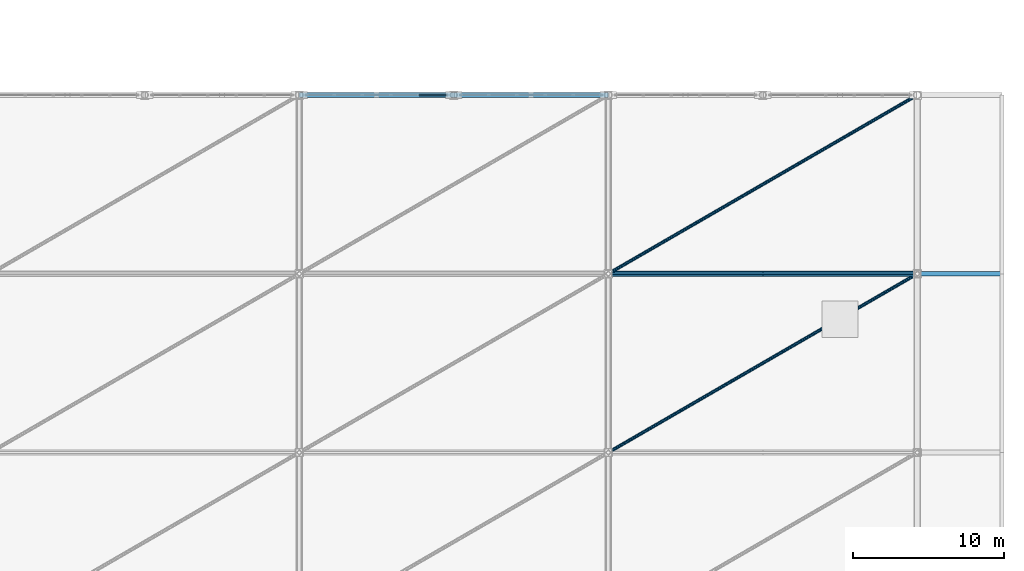
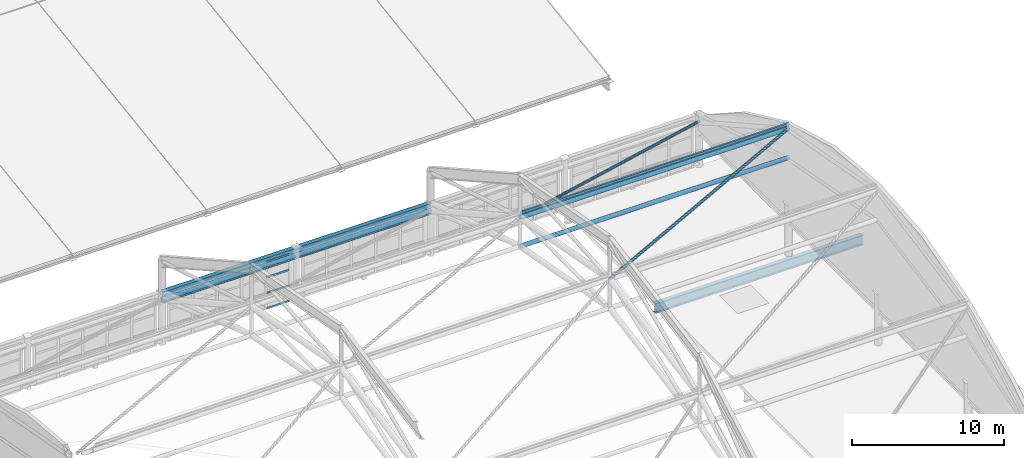
# One storey, part 78 of 135: 10 members, 2 beams, 1 element without a shape of its own.
"""IFC4 building model written with IfcOpenShell, lengths in metres."""

from ifc_helpers import new_model, si_unit, direction, frame, origin, origin_2d, place, context, subcontext, project, spatial, hollow_rectangle, hollow_circle, i_section, extrude, material, material_profile, profile_set, type_object, element, aggregate, save


model = new_model("IFC4")

# Units and contexts
model_context = context("Model", 3, precision=1e-05, world=origin(), true_north=direction((0.0, 1.0)))
body_context = subcontext(model_context, "Body", "Model", "MODEL_VIEW")
ifc_project = project(units=[si_unit("LENGTHUNIT", "METRE"), si_unit("AREAUNIT", "SQUARE_METRE"), si_unit("VOLUMEUNIT", "CUBIC_METRE"), si_unit("PLANEANGLEUNIT", "RADIAN"), si_unit("MASSUNIT", "GRAM", prefix="KILO")], contexts=[model_context])

# Site, building, storey
site_placement = place(None, origin())
site = spatial("IfcSite", under=ifc_project, at=site_placement, CompositionType="ELEMENT")
building_placement = place(site_placement, origin())
building = spatial("IfcBuilding", under=site, at=building_placement, Name="Brelvane Convention Centre", CompositionType="ELEMENT")
storey_placement = place(building_placement, frame((0.0, 0.0, 15.0)))
storey = spatial("IfcBuildingStorey", under=building, at=storey_placement, Name="L03", CompositionType="ELEMENT", Elevation=15.0)

# Curtain wall, members
ifc_material_1 = material(Name="Anodised Aluminium Alloy 6063-T6", Category="aluminium")
curtain_wall_type = type_object("IfcCurtainWallType", Name="Curtain Wall CW-PLEN-E", PredefinedType="USERDEFINED", material=ifc_material_1)
curtain_wall_placement = place(storey_placement, origin())
curtain_wall = element("IfcCurtainWall", 1, at=curtain_wall_placement, inside=storey, type_object=curtain_wall_type, Name="Curtain Wall CW-PLEN-E L03-PLEN-N-CLER-3", ObjectType="UNITISED", PredefinedType="USERDEFINED")
ifc_material_2 = material(Name="Anodised Aluminium Alloy 6063-T6", Category="aluminium")
ifc_material_profile_1 = material_profile(ifc_material_2, hollow_rectangle(XDim=0.070068359375, YDim=0.14990234375, WallThickness=0.00439453125, InnerFilletRadius=0.00439453125, OuterFilletRadius=0.009033203125, at=origin_2d()), Name="ALU-T 150x70x4.5")
ifc_profile_set_1 = profile_set([ifc_material_profile_1], Name="Anodised Aluminium Alloy 6063-T6")
member_type_1 = type_object("IfcMemberType", Name="Curtain Transom CW-T2", PredefinedType="USERDEFINED", material=ifc_profile_set_1)
member_1_placement = place(storey_placement, frame((191.527587890625, 87.800048828125, 0.034912109375), z_axis=(1.0, 0.0, 0.0), x_axis=(0.0, 1.0, 0.0)))
member_1 = element("IfcMember", 2, at=member_1_placement, type_object=member_type_1, Name="CW-PLEN-E transom 5.1", ObjectType="TRANSOM", PredefinedType="USERDEFINED", context=body_context, shape_type="SweptSolid", body=[
    extrude(hollow_rectangle(XDim=0.070068359375, YDim=0.14990234375, WallThickness=0.00439453125, InnerFilletRadius=0.00439453125, OuterFilletRadius=0.009033203125, at=origin_2d()), origin(), (0.0, 0.0, 1.0), 1.747314453125),
])
member_2_placement = place(storey_placement, frame((191.527587890625, 87.800048828125, 1.2666015625), z_axis=(1.0, 0.0, 0.0), x_axis=(0.0, 1.0, 0.0)))
member_2 = element("IfcMember", 3, at=member_2_placement, type_object=member_type_1, Name="CW-PLEN-E transom 5.2", ObjectType="TRANSOM", PredefinedType="USERDEFINED", context=body_context, shape_type="SweptSolid", body=[
    extrude(hollow_rectangle(XDim=0.070068359375, YDim=0.14990234375, WallThickness=0.00439453125, InnerFilletRadius=0.00439453125, OuterFilletRadius=0.009033203125, at=origin_2d()), origin(), (0.0, 0.0, 1.0), 1.747314453125),
])
member_3_placement = place(storey_placement, frame((191.527587890625, 87.800048828125, 2.533203125), z_axis=(1.0, 0.0, 0.0), x_axis=(0.0, 1.0, 0.0)))
member_3 = element("IfcMember", 4, at=member_3_placement, type_object=member_type_1, Name="CW-PLEN-E transom 5.3", ObjectType="TRANSOM", PredefinedType="USERDEFINED", context=body_context, shape_type="SweptSolid", body=[
    extrude(hollow_rectangle(XDim=0.070068359375, YDim=0.14990234375, WallThickness=0.00439453125, InnerFilletRadius=0.00439453125, OuterFilletRadius=0.009033203125, at=origin_2d()), origin(), (0.0, 0.0, 1.0), 1.747314453125),
])
member_4_placement = place(storey_placement, frame((191.527587890625, 87.800048828125, 3.764892578125), z_axis=(1.0, 0.0, 0.0), x_axis=(0.0, 1.0, 0.0)))
member_4 = element("IfcMember", 5, at=member_4_placement, type_object=member_type_1, Name="CW-PLEN-E transom 5.4", ObjectType="TRANSOM", PredefinedType="USERDEFINED", context=body_context, shape_type="SweptSolid", body=[
    extrude(hollow_rectangle(XDim=0.070068359375, YDim=0.14990234375, WallThickness=0.00439453125, InnerFilletRadius=0.00439453125, OuterFilletRadius=0.009033203125, at=origin_2d()), origin(), (0.0, 0.0, 1.0), 1.747314453125),
])
aggregate(curtain_wall, [member_1, member_2, member_3, member_4])

# Beams
ifc_material_3 = material(Name="Steel E450 (450 MPa)", Category="steel")
ifc_material_profile_2 = material_profile(ifc_material_3, i_section(OverallWidth=0.300048828125, OverallDepth=0.89990234375, WebThickness=0.0166015625, FlangeThickness=0.031982421875, FilletRadius=0.027099609375, at=origin_2d()), Name="NPB 900x300")
ifc_profile_set_2 = profile_set([ifc_material_profile_2], Name="Steel E450 (450 MPa)")
beam_type_1 = type_object("IfcBeamType", Name="Steel Beam B-ST1 (NPB 900x300)", PredefinedType="BEAM", material=ifc_profile_set_2)
beam_1_placement = place(storey_placement, frame((183.60009765625, 87.800048828125, 3.75), z_axis=(1.0, 0.0, 0.0), x_axis=(0.0, 1.0, 0.0)))
element("IfcBeam", 6, at=beam_1_placement, inside=storey, type_object=beam_type_1, Name="SF_PLEN Eaves Ring Girder N-2", PredefinedType="BEAM", context=body_context, shape_type="SweptSolid", body=[
    extrude(i_section(OverallWidth=0.300048828125, OverallDepth=0.89990234375, WebThickness=0.0166015625, FlangeThickness=0.031982421875, FilletRadius=0.027099609375, at=origin_2d()), origin(), (0.0, 0.0, 1.0), 20.39990234375),
])
ifc_material_4 = material(Name="Steel E450 (450 MPa)", Category="steel")
ifc_material_profile_3 = material_profile(ifc_material_4, i_section(OverallWidth=0.300048828125, OverallDepth=0.800048828125, WebThickness=0.015380859375, FlangeThickness=0.030029296875, FilletRadius=0.027099609375, at=origin_2d()), Name="NPB 800x300")
ifc_profile_set_3 = profile_set([ifc_material_profile_3], Name="Steel E450 (450 MPa)")
beam_type_2 = type_object("IfcBeamType", Name="Steel Beam B-ST2 (NPB 800x300)", PredefinedType="BEAM", material=ifc_profile_set_3)
beam_2_placement = place(storey_placement, frame((214.199951171875, 76.0, -0.699951171875), z_axis=(1.0, 0.0, 0.0), x_axis=(0.0, 1.0, 0.0)))
element("IfcBeam", 7, at=beam_2_placement, inside=storey, type_object=beam_type_2, Name="L03 Plenary East Cantilever Girder Y76", PredefinedType="BEAM", context=body_context, shape_type="SweptSolid", body=[
    extrude(i_section(OverallWidth=0.300048828125, OverallDepth=0.800048828125, WebThickness=0.015380859375, FlangeThickness=0.030029296875, FilletRadius=0.027099609375, at=origin_2d()), origin(), (0.0, 0.0, 1.0), 15.800048828125),
])

# Members
ifc_material_5 = material(Name="Steel E350 (350 MPa)", Category="steel")
ifc_material_profile_4 = material_profile(ifc_material_5, hollow_circle(Radius=0.109619140625, WallThickness=0.010009765625, at=origin_2d()), Name="CHS 219.1x10.0")
ifc_profile_set_4 = profile_set([ifc_material_profile_4], Name="Steel E350 (350 MPa)")
member_type_2 = type_object("IfcMemberType", Name="Steel Brace SF-DG2 (CHS 219.1x10.0)", PredefinedType="BRACE", material=ifc_profile_set_4)
member_5_placement = place(storey_placement, frame((204.0, 64.199951171875, 12.340087890625), z_axis=(0.861870064084, 0.498537133576, -0.092955468268), x_axis=(-0.500705052683, 0.865617958581, 0.0)))
element("IfcMember", 8, at=member_5_placement, inside=storey, type_object=member_type_2, Name="SF_PLEN Roof Diaphragm Brace PB3.3", PredefinedType="BRACE", context=body_context, shape_type="SweptSolid", body=[
    extrude(hollow_circle(Radius=0.109619140625, WallThickness=0.010009765625, at=origin_2d()), origin(), (0.0, 0.0, 1.0), 23.66943359375),
])
member_6_placement = place(storey_placement, frame((204.0, 76.0, 10.139892578125), z_axis=(0.833548560987, 0.482154941456, -0.269672781172), x_axis=(-0.500705052683, 0.865617958581, 0.0)))
element("IfcMember", 9, at=member_6_placement, inside=storey, type_object=member_type_2, Name="SF_PLEN Roof Diaphragm Brace PB3.4", PredefinedType="BRACE", context=body_context, shape_type="SweptSolid", body=[
    extrude(hollow_circle(Radius=0.109619140625, WallThickness=0.010009765625, at=origin_2d()), origin(), (0.0, 0.0, 1.0), 24.4736328125),
])
ifc_material_6 = material(Name="Steel E350 (350 MPa)", Category="steel")
ifc_material_profile_5 = material_profile(ifc_material_6, hollow_circle(Radius=0.161865234375, WallThickness=0.012451171875, at=origin_2d()), Name="CHS 323.9x12.5")
ifc_profile_set_5 = profile_set([ifc_material_profile_5], Name="Steel E350 (350 MPa)")
member_type_3 = type_object("IfcMemberType", Name="Steel Chord SF-BC2 (CHS 323.9x12.5)", PredefinedType="CHORD", material=ifc_profile_set_5)
member_7_placement = place(storey_placement, frame((204.0, 76.0, 7.800048828125), z_axis=(1.0, 0.0, 0.0), x_axis=(0.0, 1.0, 0.0)))
element("IfcMember", 10, at=member_7_placement, inside=storey, type_object=member_type_3, Name="SF_PLEN Longitudinal Bottom Chord LB3.4", PredefinedType="CHORD", context=body_context, shape_type="SweptSolid", body=[
    extrude(hollow_circle(Radius=0.161865234375, WallThickness=0.012451171875, at=origin_2d()), origin(), (0.0, 0.0, 1.0), 20.39990234375),
])
ifc_material_7 = material(Name="Steel E450 (450 MPa)", Category="steel")
ifc_material_profile_6 = material_profile(ifc_material_7, hollow_circle(Radius=0.177734375, WallThickness=0.01611328125, at=origin_2d()), Name="CHS 355.6x16.0")
ifc_profile_set_6 = profile_set([ifc_material_profile_6], Name="Steel E450 (450 MPa)")
member_type_4 = type_object("IfcMemberType", Name="Steel Chord SF-TC2 (CHS 355.6x16.0)", PredefinedType="CHORD", material=ifc_profile_set_6)
for number, where, z_axis, x_axis, name in (
    (11, (183.60009765625, 87.800048828125, 3.5400390625), (1.0, 0.0, 0.0), (0.0, 1.0, 0.0), "SF_PLEN Longitudinal Top Chord LT2.5"),
    (12, (204.0, 76.0, 10.139892578125), (1.0, 0.0, 0.0), (0.0, 1.0, 0.0), "SF_PLEN Longitudinal Top Chord LT3.4"),
):
    element("IfcMember", number, at=place(storey_placement, frame(where, z_axis=z_axis, x_axis=x_axis)), inside=storey, type_object=member_type_4, Name=name, PredefinedType="CHORD", context=body_context, shape_type="SweptSolid", body=[
        extrude(hollow_circle(Radius=0.177734375, WallThickness=0.01611328125, at=origin_2d()), origin(), (0.0, 0.0, 1.0), 20.39990234375),
    ])
ifc_material_8 = material(Name="Steel E350 (350 MPa)", Category="steel")
ifc_material_profile_7 = material_profile(ifc_material_8, i_section(OverallWidth=0.125, OverallDepth=0.25, WebThickness=0.0068359375, FlangeThickness=0.012451171875, FilletRadius=0.012939453125, at=origin_2d()), Name="ISMB 250")
ifc_profile_set_7 = profile_set([ifc_material_profile_7], Name="Steel E350 (350 MPa)")
member_type_5 = type_object("IfcMemberType", Name="Steel Purlin PR-ST1 (ISMB 250)", PredefinedType="PURLIN", material=ifc_profile_set_7)
member_8_placement = place(storey_placement, frame((204.0, 76.0, 10.47509765625), z_axis=(1.0, 0.0, 0.0), x_axis=(0.0, 1.0, 0.0)))
element("IfcMember", 13, at=member_8_placement, inside=storey, type_object=member_type_5, Name="SF_PLEN Roof Purlin P3.4", PredefinedType="PURLIN", context=body_context, shape_type="SweptSolid", body=[
    extrude(i_section(OverallWidth=0.125, OverallDepth=0.25, WebThickness=0.0068359375, FlangeThickness=0.012451171875, FilletRadius=0.012939453125, at=origin_2d()), origin(), (0.0, 0.0, 1.0), 20.39990234375),
])

save(model, "model.ifc")
